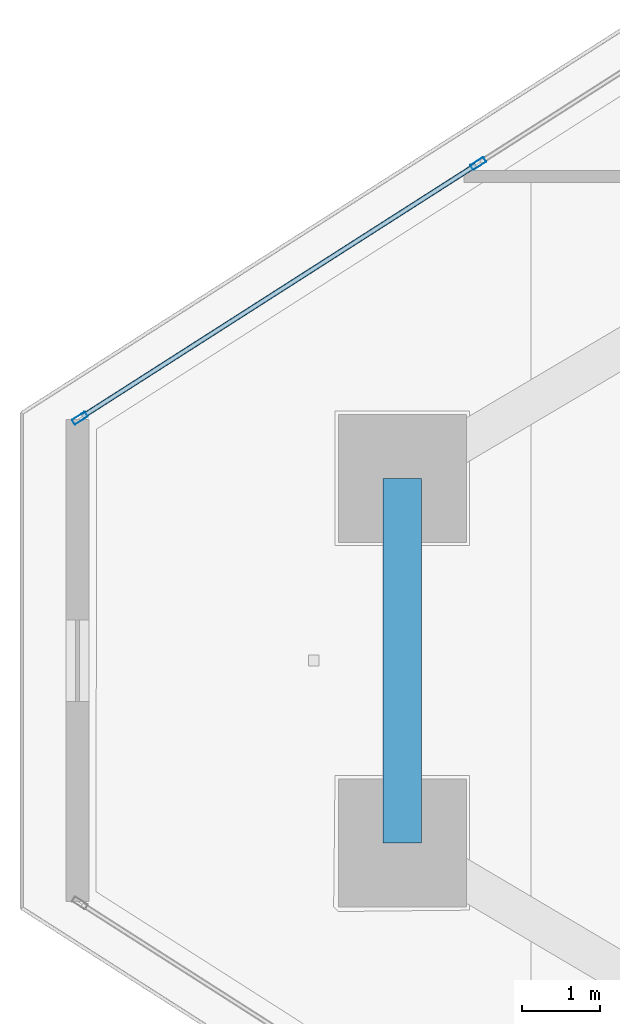
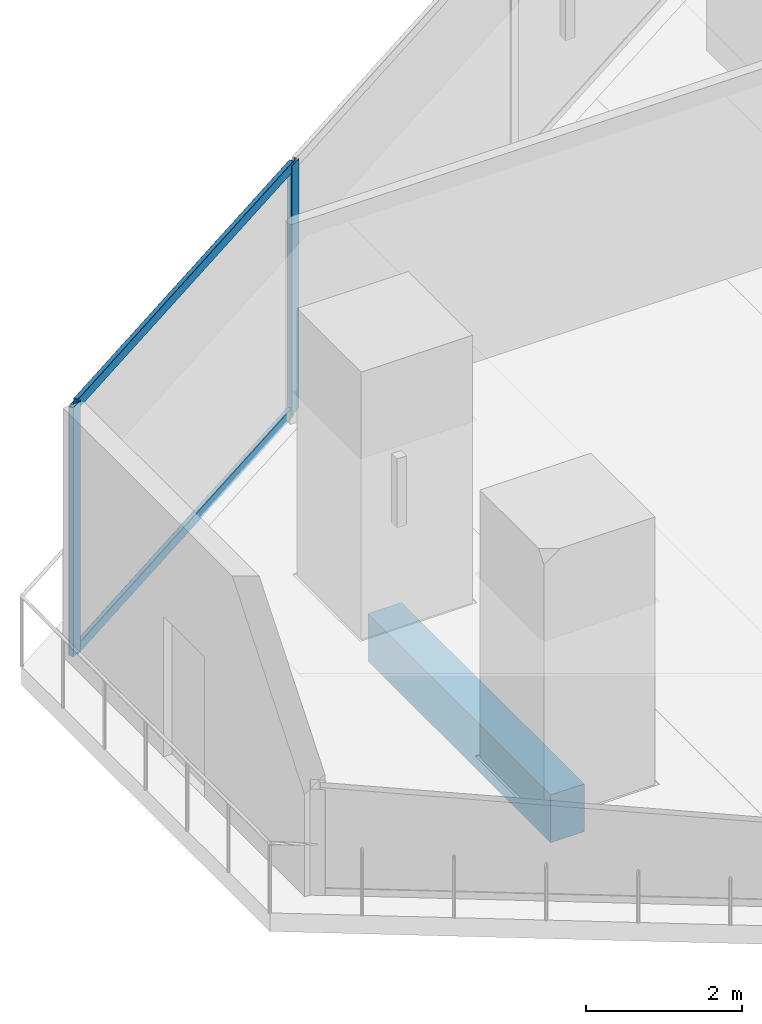
# One storey, part 8 of 33: 4 members, 1 beam, 1 element without a shape of its own.
"""IFC4 building model written with IfcOpenShell, lengths in metres."""

from ifc_helpers import new_model, si_unit, direction, frame, origin, origin_2d, place, context, subcontext, project, spatial, rectangle, hollow_rectangle, extrude, material, layer, layer_set, material_profile, profile_set, type_object, element, aggregate, save


model = new_model("IFC4")

# Units and contexts
model_context = context("Model", 3, precision=1e-05, world=origin(), true_north=direction((0.0, 1.0)))
body_context = subcontext(model_context, "Body", "Model", "MODEL_VIEW")
ifc_project = project(units=[si_unit("LENGTHUNIT", "METRE"), si_unit("AREAUNIT", "SQUARE_METRE"), si_unit("VOLUMEUNIT", "CUBIC_METRE"), si_unit("PLANEANGLEUNIT", "RADIAN"), si_unit("MASSUNIT", "GRAM", prefix="KILO")], contexts=[model_context])

# Site, building, storey
site_placement = place(None, origin())
site = spatial("IfcSite", under=ifc_project, at=site_placement, CompositionType="ELEMENT")
building_placement = place(site_placement, origin())
building = spatial("IfcBuilding", under=site, at=building_placement, Name="Qorvath Tower", CompositionType="ELEMENT")
storey_placement = place(building_placement, frame((0.0, 0.0, 280.800048828125)))
storey = spatial("IfcBuildingStorey", under=building, at=storey_placement, Name="L65", CompositionType="ELEMENT", Elevation=280.800048828125)

# Beam
ifc_material_1 = material(Name="Concrete C45/55", Category="concrete")
ifc_material_profile_1 = material_profile(ifc_material_1, rectangle(XDim=0.5, YDim=0.75, at=origin_2d()), Name="RCB 750x500")
ifc_profile_set_1 = profile_set([ifc_material_profile_1], Name="Concrete C45/55")
beam_type = type_object("IfcBeamType", Name="BM-RCB3", PredefinedType="SPANDREL", material=ifc_profile_set_1)
beam_placement = place(storey_placement, frame((-47.53759765625, 2.349609375, -0.6650390625), z_axis=(0.0, -1.0, 0.0), x_axis=(1.0, 0.0, 0.0)))
element("IfcBeam", 1, at=beam_placement, inside=storey, type_object=beam_type, Name="Perimeter Loggia Frame Beam MC1-MC2 L65", PredefinedType="SPANDREL", context=body_context, shape_type="SweptSolid", body=[
    extrude(rectangle(XDim=0.5, YDim=0.75, at=origin_2d()), origin(), (0.0, 0.0, 1.0), 4.69921875),
])

# Curtain wall, members
ifc_material_2 = material(Name="Anodised aluminium and triple low-E glass", Category="aluminium")
ifc_layer = layer(ifc_material_2, 0.179931640625)
ifc_layer_set = layer_set([ifc_layer], Name="CW-SYS-4")
curtain_wall_type = type_object("IfcCurtainWallType", Name="CW-SYS-4", PredefinedType="NOTDEFINED", material=ifc_layer_set)
curtain_wall_placement = place(storey_placement, origin())
curtain_wall = element("IfcCurtainWall", 2, at=curtain_wall_placement, inside=storey, type_object=curtain_wall_type, Name="Curtain Wall CW-4 CW-T-L65-16.3", PredefinedType="NOTDEFINED")
ifc_material_3 = material(Name="Anodised aluminium 6063-T6", Category="aluminium")
ifc_material_profile_2 = material_profile(ifc_material_3, hollow_rectangle(XDim=0.074951171875, YDim=0.199951171875, WallThickness=0.00390625, InnerFilletRadius=0.00390625, OuterFilletRadius=0.008056640625, at=origin_2d()), Name="CWM 200x75")
ifc_profile_set_2 = profile_set([ifc_material_profile_2], Name="Anodised aluminium 6063-T6")
member_type_1 = type_object("IfcMemberType", Name="CWM-200", PredefinedType="MULLION", material=ifc_profile_set_2)
member_1_placement = place(storey_placement, frame((-46.55859375, 6.40673828125, 0.0), z_axis=(0.0, 0.0, 1.0), x_axis=(0.538537577367, -0.842601494043, 0.0)))
member_1 = element("IfcMember", 3, at=member_1_placement, type_object=member_type_1, Name="CW-4 mullion 3", PredefinedType="MULLION", context=body_context, shape_type="SweptSolid", body=[
    extrude(hollow_rectangle(XDim=0.074951171875, YDim=0.199951171875, WallThickness=0.00390625, InnerFilletRadius=0.00390625, OuterFilletRadius=0.008056640625, at=origin_2d()), origin(), (0.0, 0.0, 1.0), 3.909912109375),
])
member_2_placement = place(storey_placement, frame((-51.693603515625, 3.125, 0.0), z_axis=(0.0, 0.0, 1.0), x_axis=(0.538537577367, -0.842601494043, 0.0)))
member_2 = element("IfcMember", 4, at=member_2_placement, type_object=member_type_1, Name="CW-4 mullion 4", PredefinedType="MULLION", context=body_context, shape_type="SweptSolid", body=[
    extrude(hollow_rectangle(XDim=0.074951171875, YDim=0.199951171875, WallThickness=0.00390625, InnerFilletRadius=0.00390625, OuterFilletRadius=0.008056640625, at=origin_2d()), origin(), (0.0, 0.0, 1.0), 3.909912109375),
])
ifc_material_4 = material(Name="Anodised aluminium 6063-T6", Category="aluminium")
ifc_material_profile_3 = material_profile(ifc_material_4, hollow_rectangle(XDim=0.06494140625, YDim=0.159912109375, WallThickness=0.00341796875, InnerFilletRadius=0.00341796875, OuterFilletRadius=0.007080078125, at=origin_2d()), Name="CWT 160x65")
ifc_profile_set_3 = profile_set([ifc_material_profile_3], Name="Anodised aluminium 6063-T6")
member_type_2 = type_object("IfcMemberType", Name="CWT-160", PredefinedType="USERDEFINED", material=ifc_profile_set_3)
member_3_placement = place(storey_placement, frame((-46.590087890625, 6.38671875, 0.032470703125), z_axis=(-0.842590943579, -0.538554084377, 0.0), x_axis=(0.538554084377, -0.842590943579, 0.0)))
member_3 = element("IfcMember", 5, at=member_3_placement, type_object=member_type_2, Name="CW-4 transom 3.1", ObjectType="TRANSOM", PredefinedType="USERDEFINED", context=body_context, shape_type="SweptSolid", body=[
    extrude(hollow_rectangle(XDim=0.06494140625, YDim=0.159912109375, WallThickness=0.00341796875, InnerFilletRadius=0.00341796875, OuterFilletRadius=0.007080078125, at=origin_2d()), origin(), (0.0, 0.0, 1.0), 6.019287109375),
])
member_4_placement = place(storey_placement, frame((-46.590087890625, 6.38671875, 3.87744140625), z_axis=(-0.842590943579, -0.538554084377, 0.0), x_axis=(0.538554084377, -0.842590943579, 0.0)))
member_4 = element("IfcMember", 6, at=member_4_placement, type_object=member_type_2, Name="CW-4 transom 3.2", ObjectType="TRANSOM", PredefinedType="USERDEFINED", context=body_context, shape_type="SweptSolid", body=[
    extrude(hollow_rectangle(XDim=0.06494140625, YDim=0.159912109375, WallThickness=0.00341796875, InnerFilletRadius=0.00341796875, OuterFilletRadius=0.007080078125, at=origin_2d()), origin(), (0.0, 0.0, 1.0), 6.019287109375),
])
aggregate(curtain_wall, [member_1, member_2, member_3, member_4])

save(model, "model.ifc")
